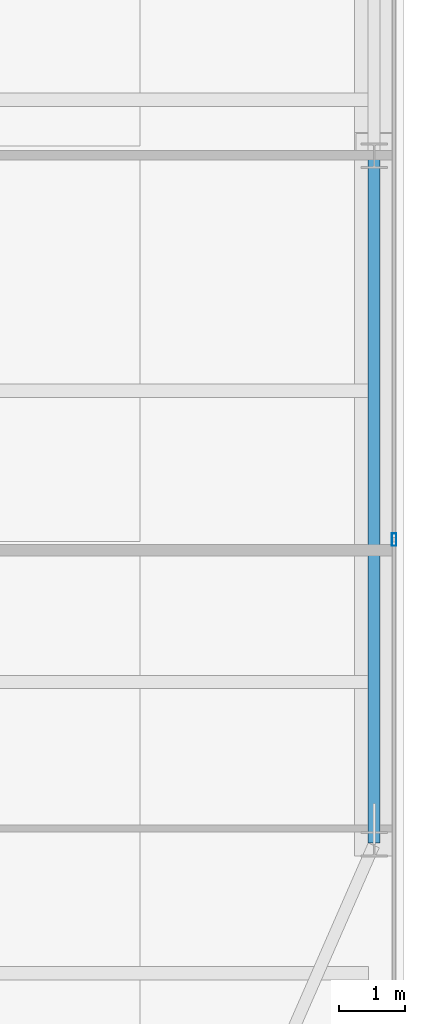
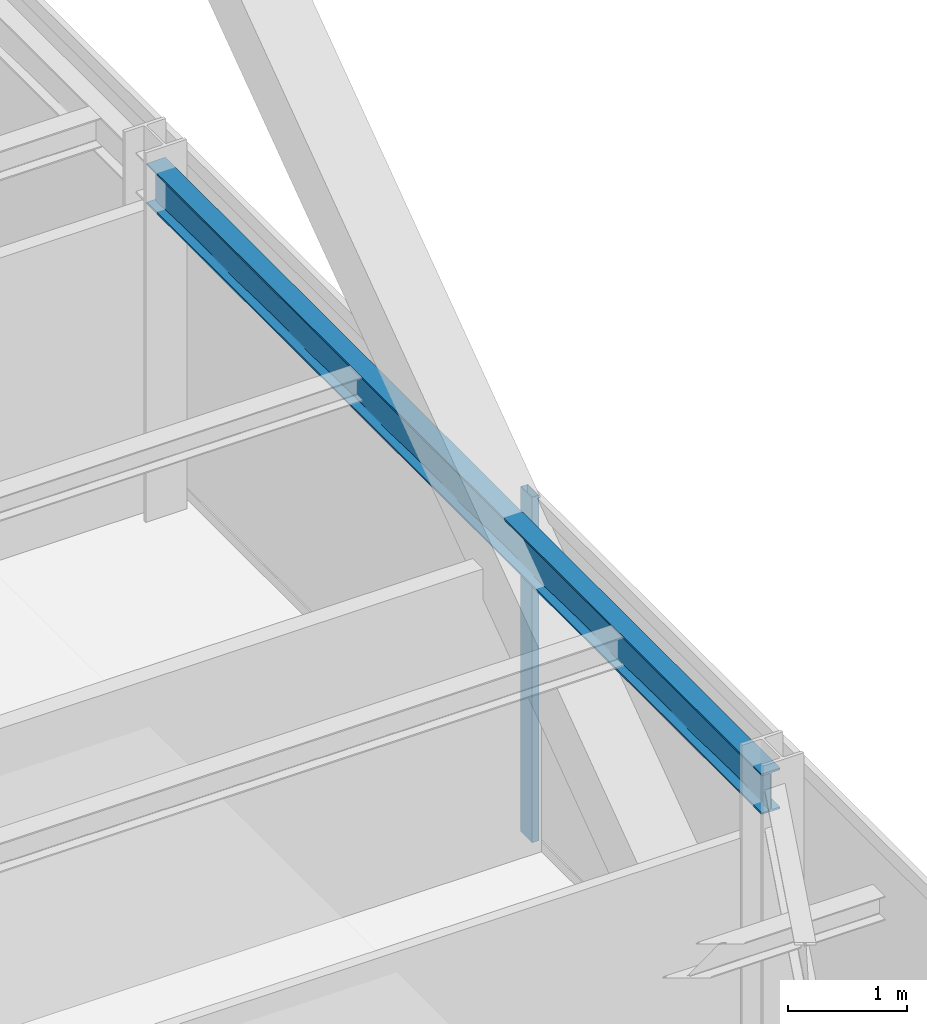
# One storey, part 19 of 37: 1 beam, 1 member, 1 element without a shape of its own.
"""IFC4 building model written with IfcOpenShell, lengths in metres."""

from ifc_helpers import new_model, si_unit, direction, frame, origin, origin_2d, place, context, subcontext, project, spatial, hollow_rectangle, i_section, extrude, source, transform, mapped, material, layer, layer_set, material_profile, profile_set, type_object, type_shapes, element, aggregate, save


model = new_model("IFC4")

# Units and contexts
model_context = context("Model", 3, precision=1e-05, world=origin(), true_north=direction((0.0, 1.0)))
body_context = subcontext(model_context, "Body", "Model", "MODEL_VIEW")
ifc_project = project(units=[si_unit("LENGTHUNIT", "METRE"), si_unit("AREAUNIT", "SQUARE_METRE"), si_unit("VOLUMEUNIT", "CUBIC_METRE"), si_unit("PLANEANGLEUNIT", "RADIAN"), si_unit("MASSUNIT", "GRAM", prefix="KILO")], contexts=[model_context])

# Site, building, storey
site_placement = place(None, origin())
site = spatial("IfcSite", under=ifc_project, at=site_placement, CompositionType="ELEMENT")
building_placement = place(site_placement, origin())
building = spatial("IfcBuilding", under=site, at=building_placement, Name="Varnel Quay Broadcast Tower", CompositionType="ELEMENT")
storey_placement = place(building_placement, frame((0.0, 0.0, 103.0)))
storey = spatial("IfcBuildingStorey", under=building, at=storey_placement, Name="L24", CompositionType="ELEMENT", Elevation=103.0)

# Beam
ifc_material_1 = material(Name="Structural Steel CSA G40.21 350W", Category="steel")
ifc_material_profile_1 = material_profile(ifc_material_1, i_section(OverallWidth=0.180908203125, OverallDepth=0.4169921875, WebThickness=0.010986328125, FlangeThickness=0.018310546875, FilletRadius=0.011962890625, at=origin_2d()), Name="W410X85")
ifc_profile_set_1 = profile_set([ifc_material_profile_1], Name="Structural Steel CSA G40.21 350W")
beam_type = type_object("IfcBeamType", Name="Beam_W410X85", PredefinedType="SPANDREL", material=ifc_profile_set_1)
shared_shape_1 = source(origin(), body_context, "Body", "SweptSolid", [
    extrude(i_section(OverallWidth=0.180908203125, OverallDepth=0.4169921875, WebThickness=0.010986328125, FlangeThickness=0.018310546875, FilletRadius=0.011962890625, at=origin_2d()), origin(), (0.0, 0.0, 1.0), 10.35986328125),
])
type_shapes(beam_type, [shared_shape_1])
beam_placement = place(storey_placement, frame((63.050048828125, 15.02001953125, 3.341552734375), z_axis=(0.0, 1.0, 0.0), x_axis=(-1.0, 0.0, 0.0)))
element("IfcBeam", 1, at=beam_placement, inside=storey, type_object=beam_type, Name="L24 East Spandrel TC-E1-TC-E2", PredefinedType="SPANDREL", context=body_context, shape_type="MappedRepresentation", body=[
    mapped(shared_shape_1, transform((0.0, 0.0, 0.0), x_axis=(1.0, 0.0, 0.0), y_axis=(0.0, 1.0, 0.0), z_axis=(0.0, 0.0, 1.0), scale=1.0)),
])

# Curtain wall, member
ifc_material_2 = material(Name="Anodised Bronze Aluminium 6063-T6", Category="aluminium")
ifc_layer = layer(ifc_material_2, 0.18994140625, Name="Anodised Bronze Aluminium 6063-T6")
ifc_layer_set = layer_set([ifc_layer], Name="Anodised Bronze Aluminium 6063-T6")
curtain_wall_type = type_object("IfcCurtainWallType", Name="CW_LowerTower", PredefinedType="NOTDEFINED", material=ifc_layer_set)
curtain_wall_placement = place(storey_placement, origin())
curtain_wall = element("IfcCurtainWall", 2, at=curtain_wall_placement, inside=storey, type_object=curtain_wall_type, Name="L24 East Unitised Curtain Wall", PredefinedType="NOTDEFINED")
ifc_material_profile_2 = material_profile(ifc_material_2, hollow_rectangle(XDim=0.070068359375, YDim=0.18994140625, WallThickness=0.00390625, at=origin_2d()), Name="ALU70X190X4")
ifc_profile_set_2 = profile_set([ifc_material_profile_2], Name="Anodised Bronze Aluminium 6063-T6")
member_type = type_object("IfcMemberType", Name="Mull_CWS-02", PredefinedType="MULLION", material=ifc_profile_set_2)
shared_shape_2 = source(origin(), body_context, "Body", "SweptSolid", [
    extrude(hollow_rectangle(XDim=0.070068359375, YDim=0.18994140625, WallThickness=0.00390625, at=origin_2d()), origin(), (0.0, 0.0, 1.0), 3.550048828125),
])
type_shapes(member_type, [shared_shape_2])
member_placement = place(storey_placement, frame((63.35009765625, 19.60009765625, 0.0), z_axis=(0.0, 0.0, 1.0), x_axis=(-1.0, 0.0, 0.0)))
member = element("IfcMember", 3, at=member_placement, type_object=member_type, Name="CWS-02 mullion 2", PredefinedType="MULLION", context=body_context, shape_type="MappedRepresentation", body=[
    mapped(shared_shape_2, transform((0.0, 0.0, 0.0), x_axis=(1.0, 0.0, 0.0), y_axis=(0.0, 1.0, 0.0), z_axis=(0.0, 0.0, 1.0), scale=1.0)),
])
aggregate(curtain_wall, [member])

save(model, "model.ifc")
